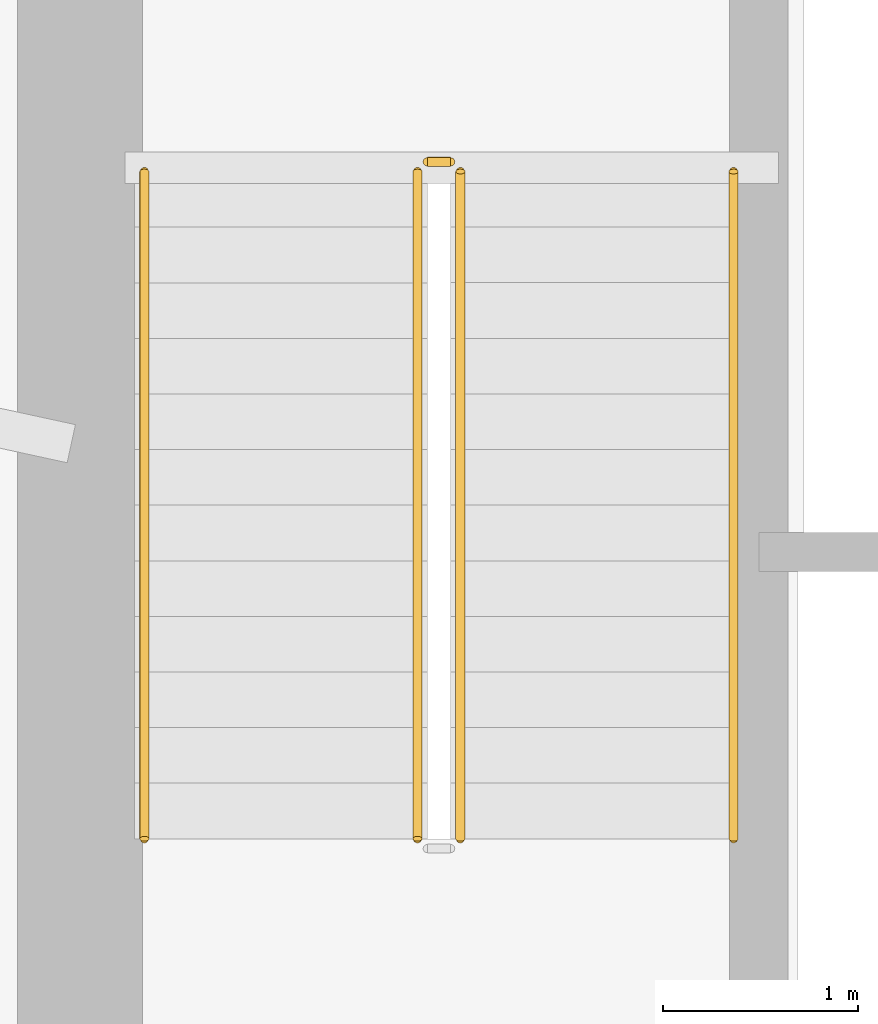
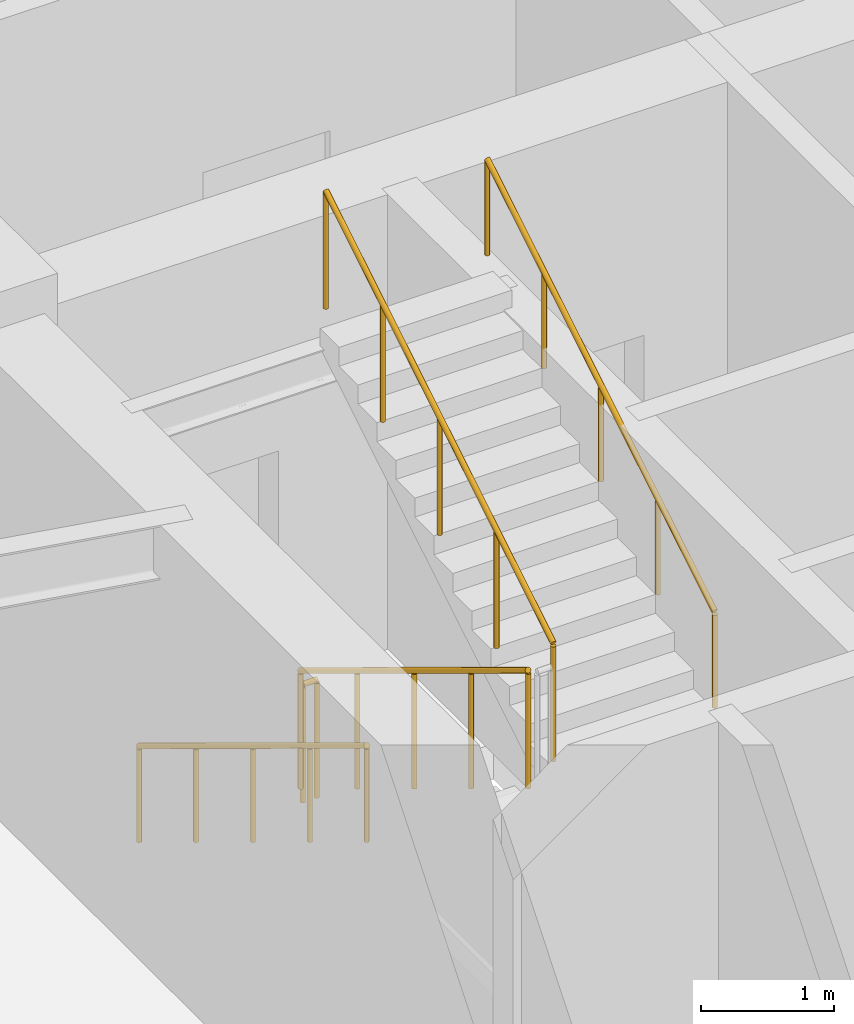
# One storey, part 20 of 23: 5 railings.
"""IFC4 building model written with IfcOpenShell, lengths in metres."""

from ifc_helpers import new_model, si_unit, direction, frame, origin, origin_2d, place, context, subcontext, project, spatial, circle, extrude, material, type_object, element, save


model = new_model("IFC4")

# Units and contexts
model_context = context("Model", 3, precision=1e-05, world=origin(), true_north=direction((0.0, 1.0)))
body_context = subcontext(model_context, "Body", "Model", "MODEL_VIEW")
ifc_project = project(units=[si_unit("LENGTHUNIT", "METRE"), si_unit("AREAUNIT", "SQUARE_METRE"), si_unit("VOLUMEUNIT", "CUBIC_METRE"), si_unit("PLANEANGLEUNIT", "RADIAN"), si_unit("MASSUNIT", "GRAM", prefix="KILO")], contexts=[model_context])

# Site, building, storey
site_placement = place(None, origin())
site = spatial("IfcSite", under=ifc_project, at=site_placement, CompositionType="ELEMENT")
building_placement = place(site_placement, origin())
building = spatial("IfcBuilding", under=site, at=building_placement, Name="Qobustan Lattice House", CompositionType="ELEMENT")
storey_placement = place(building_placement, frame((0.0, 0.0, 9.0)))
storey = spatial("IfcBuildingStorey", under=building, at=storey_placement, Name="L02", CompositionType="ELEMENT", Elevation=9.0)

# Railings
ifc_material_1 = material(Name="Brushed stainless steel handrail", Category="steel")
railing_type_1 = type_object("IfcRailingType", Name="RAL-HR-920", PredefinedType="HANDRAIL", material=ifc_material_1)
railing_1_placement = place(storey_placement, frame((-18.199951171875, 3.5, 0.173095703125)))
element("IfcRailing", 1, at=railing_1_placement, inside=storey, type_object=railing_type_1, Name="L02 ST-W1 stair handrail 1", PredefinedType="HANDRAIL", context=body_context, shape_type="SweptSolid", body=[
    extrude(circle(Radius=0.02392578125, at=origin_2d()), frame((0.0, 0.0, 0.8759765625), z_axis=(0.0, -0.854729506542, 0.519073665916), x_axis=(1.0, 0.0, 0.0)), (0.0, 0.0, 1.0), 4.001220703125),
    extrude(circle(Radius=0.02099609375, at=origin_2d()), origin(), (0.0, 0.0, 1.0), 0.851806640625),
    extrude(circle(Radius=0.02099609375, at=origin_2d()), frame((0.0, -0.85498046875, 0.519287109375)), (0.0, 0.0, 1.0), 0.851806640625),
    extrude(circle(Radius=0.02099609375, at=origin_2d()), frame((0.0, -1.7099609375, 1.03857421875)), (0.0, 0.0, 1.0), 0.851806640625),
    extrude(circle(Radius=0.02099609375, at=origin_2d()), frame((0.0, -2.56494140625, 1.5576171875)), (0.0, 0.0, 1.0), 0.851806640625),
    extrude(circle(Radius=0.02099609375, at=origin_2d()), frame((0.0, -3.419921875, 2.076904296875)), (0.0, 0.0, 1.0), 0.851806640625),
])
railing_2_placement = place(storey_placement, frame((-15.179931640625, 0.080078125, 2.423095703125)))
element("IfcRailing", 2, at=railing_2_placement, inside=storey, type_object=railing_type_1, Name="L02 ST-W1 stair handrail 2", PredefinedType="HANDRAIL", context=body_context, shape_type="SweptSolid", body=[
    extrude(circle(Radius=0.02392578125, at=origin_2d()), frame((0.0, 0.0, 0.8759765625), z_axis=(0.0, 0.854729506542, 0.519073665916), x_axis=(-1.0, 0.0, 0.0)), (0.0, 0.0, 1.0), 4.001220703125),
    extrude(circle(Radius=0.02099609375, at=origin_2d()), origin(), (0.0, 0.0, 1.0), 0.851806640625),
    extrude(circle(Radius=0.02099609375, at=origin_2d()), frame((0.0, 0.85498046875, 0.519287109375)), (0.0, 0.0, 1.0), 0.851806640625),
    extrude(circle(Radius=0.02099609375, at=origin_2d()), frame((0.0, 1.7099609375, 1.03857421875)), (0.0, 0.0, 1.0), 0.851806640625),
    extrude(circle(Radius=0.02099609375, at=origin_2d()), frame((0.0, 2.56494140625, 1.5576171875)), (0.0, 0.0, 1.0), 0.851806640625),
    extrude(circle(Radius=0.02099609375, at=origin_2d()), frame((0.0, 3.419921875, 2.076904296875)), (0.0, 0.0, 1.0), 0.851806640625),
])
ifc_material_2 = material(Name="Painted galvanized steel guardrail", Category="steel")
railing_type_2 = type_object("IfcRailingType", Name="RAL-STG-1150", PredefinedType="GUARDRAIL", material=ifc_material_2)
railing_3_placement = place(storey_placement, frame((-16.800048828125, 3.5, 0.173095703125)))
element("IfcRailing", 3, at=railing_3_placement, inside=storey, type_object=railing_type_2, Name="L02 ST-W1 stair guard 1", PredefinedType="GUARDRAIL", context=body_context, shape_type="SweptSolid", body=[
    extrude(circle(Radius=0.02392578125, at=origin_2d()), frame((0.0, 0.0, 1.076171875), z_axis=(0.0, -0.854729506542, 0.519073665916), x_axis=(1.0, 0.0, 0.0)), (0.0, 0.0, 1.0), 4.001220703125),
    extrude(circle(Radius=0.02099609375, at=origin_2d()), origin(), (0.0, 0.0, 1.0), 1.052001953125),
    extrude(circle(Radius=0.02099609375, at=origin_2d()), frame((0.0, -0.85498046875, 0.519287109375)), (0.0, 0.0, 1.0), 1.052001953125),
    extrude(circle(Radius=0.02099609375, at=origin_2d()), frame((0.0, -1.7099609375, 1.03857421875)), (0.0, 0.0, 1.0), 1.052001953125),
    extrude(circle(Radius=0.02099609375, at=origin_2d()), frame((0.0, -2.56494140625, 1.5576171875)), (0.0, 0.0, 1.0), 1.052001953125),
    extrude(circle(Radius=0.02099609375, at=origin_2d()), frame((0.0, -3.419921875, 2.076904296875)), (0.0, 0.0, 1.0), 1.052001953125),
])
railing_4_placement = place(storey_placement, frame((-16.580078125, 0.080078125, 2.423095703125)))
element("IfcRailing", 4, at=railing_4_placement, inside=storey, type_object=railing_type_2, Name="L02 ST-W1 stair guard 3", PredefinedType="GUARDRAIL", context=body_context, shape_type="SweptSolid", body=[
    extrude(circle(Radius=0.02392578125, at=origin_2d()), frame((0.0, 0.0, 1.076171875), z_axis=(0.0, 0.854729506542, 0.519073665916), x_axis=(-1.0, 0.0, 0.0)), (0.0, 0.0, 1.0), 4.001220703125),
    extrude(circle(Radius=0.02099609375, at=origin_2d()), origin(), (0.0, 0.0, 1.0), 1.052001953125),
    extrude(circle(Radius=0.02099609375, at=origin_2d()), frame((0.0, 0.85498046875, 0.519287109375)), (0.0, 0.0, 1.0), 1.052001953125),
    extrude(circle(Radius=0.02099609375, at=origin_2d()), frame((0.0, 1.7099609375, 1.03857421875)), (0.0, 0.0, 1.0), 1.052001953125),
    extrude(circle(Radius=0.02099609375, at=origin_2d()), frame((0.0, 2.56494140625, 1.5576171875)), (0.0, 0.0, 1.0), 1.052001953125),
    extrude(circle(Radius=0.02099609375, at=origin_2d()), frame((0.0, 3.419921875, 2.076904296875)), (0.0, 0.0, 1.0), 1.052001953125),
])
railing_5_placement = place(storey_placement, frame((-16.75, 3.550048828125, 0.0)))
element("IfcRailing", 5, at=railing_5_placement, inside=storey, type_object=railing_type_2, Name="L02 ST-W1 stair guard 4", PredefinedType="GUARDRAIL", context=body_context, shape_type="SweptSolid", body=[
    extrude(circle(Radius=0.02392578125, at=origin_2d()), frame((0.0, 0.0, 1.076171875), z_axis=(1.0, 0.0, 0.0), x_axis=(0.0, 1.0, 0.0)), (0.0, 0.0, 1.0), 0.1201171875),
    extrude(circle(Radius=0.02099609375, at=origin_2d()), origin(), (0.0, 0.0, 1.0), 1.052001953125),
    extrude(circle(Radius=0.02099609375, at=origin_2d()), frame((0.1201171875, 0.0, 0.0)), (0.0, 0.0, 1.0), 1.052001953125),
])

save(model, "model.ifc")
